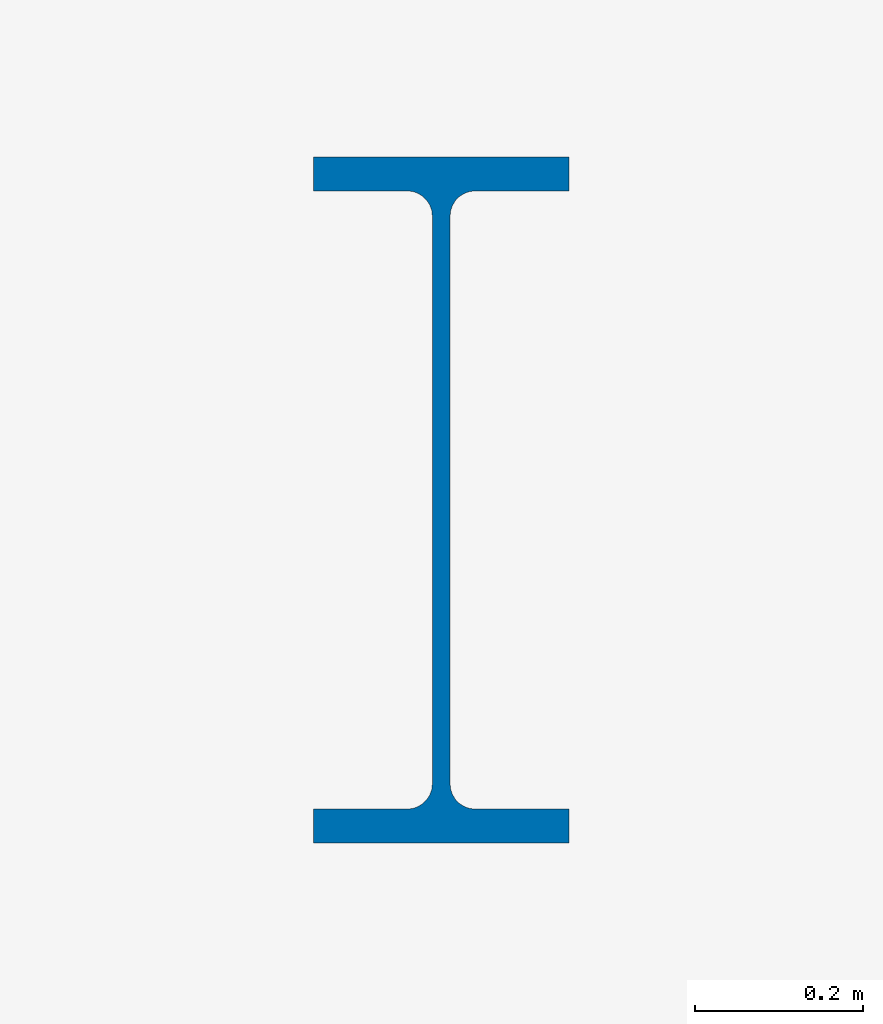
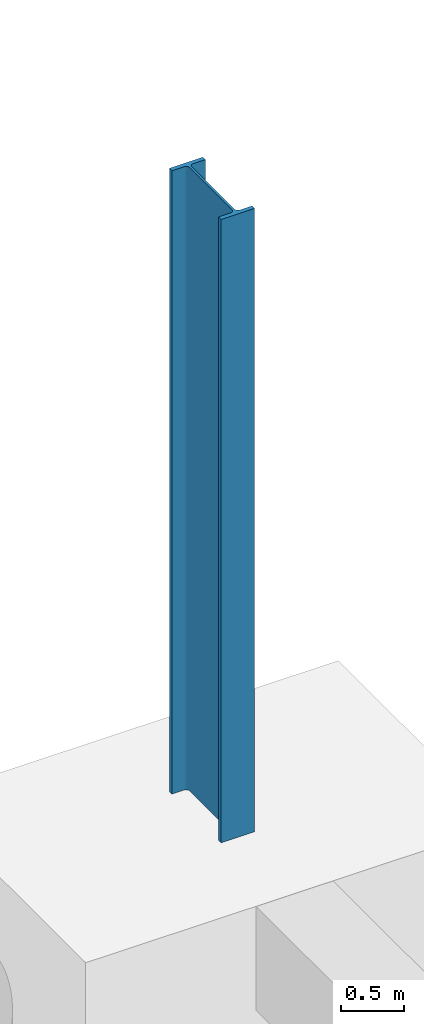
# One storey, part 20 of 46: 1 column.
"""IFC4 building model written with IfcOpenShell, lengths in metres."""

from ifc_helpers import new_model, si_unit, direction, frame, origin, origin_2d, place, context, subcontext, project, spatial, i_section, extrude, material, material_profile, profile_set, type_object, element, save


model = new_model("IFC4")

# Units and contexts
model_context = context("Model", 3, precision=1e-05, world=origin(), true_north=direction((0.0, 1.0)))
body_context = subcontext(model_context, "Body", "Model", "MODEL_VIEW")
ifc_project = project(units=[si_unit("LENGTHUNIT", "METRE"), si_unit("AREAUNIT", "SQUARE_METRE"), si_unit("VOLUMEUNIT", "CUBIC_METRE"), si_unit("PLANEANGLEUNIT", "RADIAN"), si_unit("MASSUNIT", "GRAM", prefix="KILO")], contexts=[model_context])

# Site, building, storey
site_placement = place(None, origin())
site = spatial("IfcSite", under=ifc_project, at=site_placement, CompositionType="ELEMENT")
building_placement = place(site_placement, origin())
building = spatial("IfcBuilding", under=site, at=building_placement, Name="Kimbaza Rail Terminus", CompositionType="ELEMENT")
storey_placement = place(building_placement, frame((0.0, 0.0, -6.0)))
storey = spatial("IfcBuildingStorey", under=building, at=storey_placement, Name="B1", CompositionType="ELEMENT", Elevation=-6.0)

# Column
ifc_material = material(Name="Steel S355", Category="steel")
ifc_material_profile = material_profile(ifc_material, i_section(OverallWidth=0.302978515625, OverallDepth=0.81396484375, WebThickness=0.02099609375, FlangeThickness=0.0400390625, FilletRadius=0.030029296875, at=origin_2d()), Name="HEM 800")
ifc_profile_set = profile_set([ifc_material_profile], Name="Steel S355")
column_type = type_object("IfcColumnType", Name="STR-COL-HEM800", PredefinedType="COLUMN", material=ifc_profile_set)
column_placement = place(storey_placement, frame((206.39990234375, 89.8759765625, 0.0), z_axis=(0.0, 0.0, 1.0), x_axis=(1.0, 0.0, 0.0)))
element("IfcColumn", 1, at=column_placement, inside=storey, type_object=column_type, Name="Viaduct Pier Column B1 VP-12", PredefinedType="COLUMN", context=body_context, shape_type="SweptSolid", body=[
    extrude(i_section(OverallWidth=0.302978515625, OverallDepth=0.81396484375, WebThickness=0.02099609375, FlangeThickness=0.0400390625, FilletRadius=0.030029296875, at=origin_2d()), origin(), (0.0, 0.0, 1.0), 6.0),
])

save(model, "model.ifc")
